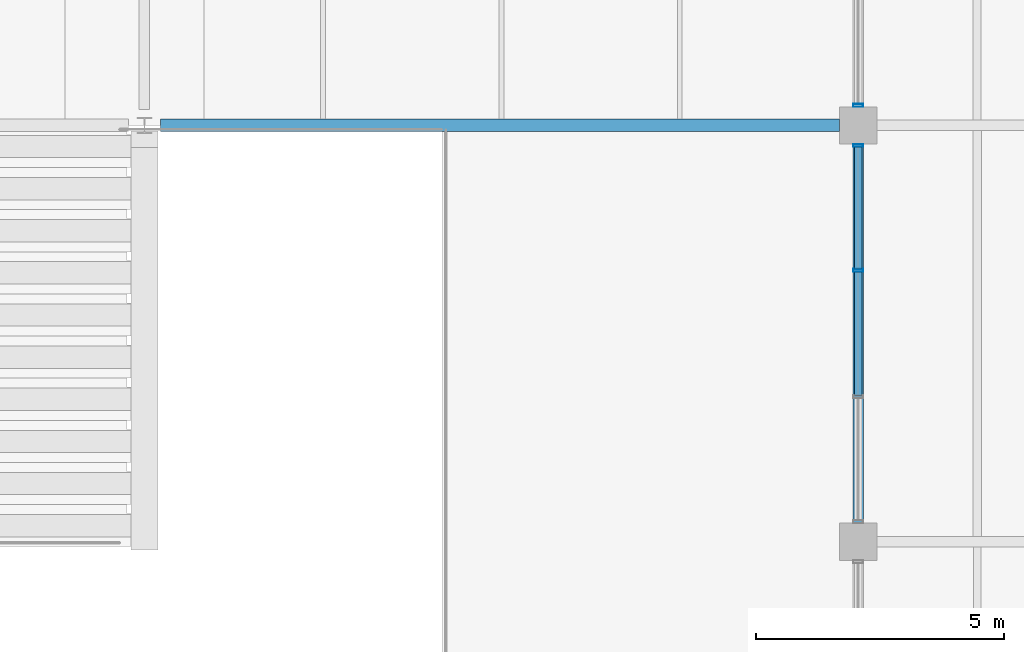
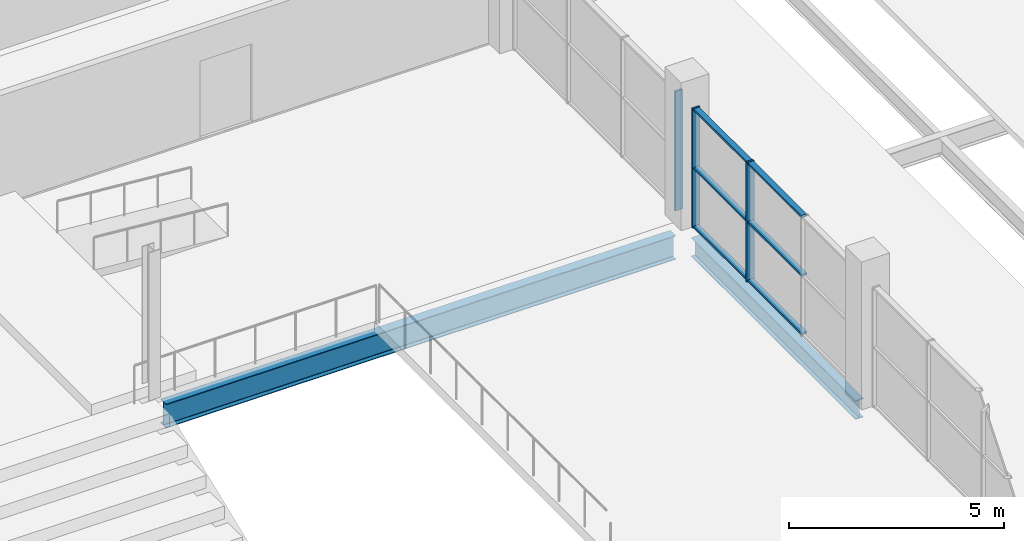
# One storey, part 72 of 161: 9 members, 2 beams, 2 elements without a shape of their own.
"""IFC4 building model written with IfcOpenShell, lengths in metres."""

from ifc_helpers import new_model, si_unit, direction, frame, origin, origin_2d, place, context, subcontext, project, spatial, hollow_rectangle, i_section, extrude, material, material_profile, profile_set, type_object, element, aggregate, save


model = new_model("IFC4")

# Units and contexts
model_context = context("Model", 3, precision=1e-05, world=origin(), true_north=direction((0.0, 1.0)))
body_context = subcontext(model_context, "Body", "Model", "MODEL_VIEW")
ifc_project = project(units=[si_unit("LENGTHUNIT", "METRE"), si_unit("AREAUNIT", "SQUARE_METRE"), si_unit("VOLUMEUNIT", "CUBIC_METRE"), si_unit("PLANEANGLEUNIT", "RADIAN"), si_unit("MASSUNIT", "GRAM", prefix="KILO"), si_unit("THERMODYNAMICTEMPERATUREUNIT", "KELVIN")], contexts=[model_context])

# Site, building, storey
site_placement = place(None, origin())
site = spatial("IfcSite", under=ifc_project, at=site_placement, CompositionType="ELEMENT")
building_placement = place(site_placement, origin())
building = spatial("IfcBuilding", under=site, at=building_placement, Name="Nduvali Passage Aquatics Centre", CompositionType="ELEMENT")
storey_placement = place(building_placement, frame((0.0, 0.0, 4.800048828125)))
storey = spatial("IfcBuildingStorey", under=building, at=storey_placement, Name="L01", CompositionType="ELEMENT", Elevation=4.800048828125)

# Curtain wall, members
ifc_material_1 = material(Name="Aluminium EN AW-6063 T6", Category="aluminium")
curtain_wall_type = type_object("IfcCurtainWallType", Name="ENV-CW-HALL", PredefinedType="NOTDEFINED", material=ifc_material_1)
curtain_wall_1_placement = place(storey_placement, origin())
curtain_wall_1 = element("IfcCurtainWall", 1, at=curtain_wall_1_placement, inside=storey, type_object=curtain_wall_type, Name="L01 East Passage Pool Hall Gallery Glazing 038", PredefinedType="NOTDEFINED")
ifc_material_profile_1 = material_profile(ifc_material_1, hollow_rectangle(XDim=0.06005859375, YDim=0.199951171875, WallThickness=0.00390625, at=origin_2d()), Name="ALU MULLION 60x200x4")
ifc_profile_set_1 = profile_set([ifc_material_profile_1], Name="Aluminium EN AW-6063 T6")
member_type_1 = type_object("IfcMemberType", Name="ENV-MEM-MUL80", PredefinedType="MULLION", material=ifc_profile_set_1)
member_1_placement = place(storey_placement, frame((126.0, 81.074951171875, 0.0), z_axis=(0.0, 0.0, 1.0), x_axis=(0.0, 1.0, 0.0)))
member_1 = element("IfcMember", 2, at=member_1_placement, type_object=member_type_1, Name="East Passage Pool Hall Gallery Glazing Mullion 3", PredefinedType="MULLION", context=body_context, shape_type="SweptSolid", body=[
    extrude(hollow_rectangle(XDim=0.06005859375, YDim=0.199951171875, WallThickness=0.00390625, at=origin_2d()), origin(), (0.0, 0.0, 1.0), 3.396484375),
])
member_2_placement = place(storey_placement, frame((126.0, 83.594970703125, 0.0), z_axis=(0.0, 0.0, 1.0), x_axis=(0.0, 1.0, 0.0)))
member_2 = element("IfcMember", 3, at=member_2_placement, type_object=member_type_1, Name="East Passage Pool Hall Gallery Glazing Mullion 4", PredefinedType="MULLION", context=body_context, shape_type="SweptSolid", body=[
    extrude(hollow_rectangle(XDim=0.06005859375, YDim=0.199951171875, WallThickness=0.00390625, at=origin_2d()), origin(), (0.0, 0.0, 1.0), 3.396484375),
])

# Curtain wall, member
curtain_wall_2_placement = place(storey_placement, origin())
curtain_wall_2 = element("IfcCurtainWall", 4, at=curtain_wall_2_placement, inside=storey, type_object=curtain_wall_type, Name="L01 East Passage Pool Hall Gallery Glazing 041", PredefinedType="NOTDEFINED")
member_3_placement = place(storey_placement, frame((126.0, 84.405029296875, 0.0), z_axis=(0.0, 0.0, 1.0), x_axis=(0.0, 1.0, 0.0)))
member_3 = element("IfcMember", 5, at=member_3_placement, type_object=member_type_1, Name="East Passage Pool Hall Gallery Glazing Mullion 1", PredefinedType="MULLION", context=body_context, shape_type="SweptSolid", body=[
    extrude(hollow_rectangle(XDim=0.06005859375, YDim=0.199951171875, WallThickness=0.00390625, at=origin_2d()), origin(), (0.0, 0.0, 1.0), 3.396484375),
])
aggregate(curtain_wall_2, [member_3])

# Member
ifc_material_profile_2 = material_profile(ifc_material_1, hollow_rectangle(XDim=0.14990234375, YDim=0.06005859375, WallThickness=0.00390625, at=origin_2d()), Name="ALU TRANSOM 150x60x4")
ifc_profile_set_2 = profile_set([ifc_material_profile_2], Name="Aluminium EN AW-6063 T6")
member_type_2 = type_object("IfcMemberType", Name="ENV-MEM-TRN80", PredefinedType="USERDEFINED", material=ifc_profile_set_2)
member_4_placement = place(storey_placement, frame((126.0, 78.554931640625, 0.030029296875), z_axis=(0.0, 1.0, 0.0), x_axis=(-1.0, 0.0, 0.0)))
member_4 = element("IfcMember", 6, at=member_4_placement, type_object=member_type_2, Name="East Passage Pool Hall Gallery Glazing Transom B2-R0", ObjectType="TRANSOM", PredefinedType="USERDEFINED", context=body_context, shape_type="SweptSolid", body=[
    extrude(hollow_rectangle(XDim=0.14990234375, YDim=0.06005859375, WallThickness=0.00390625, at=origin_2d()), origin(), (0.0, 0.0, 1.0), 2.489990234375),
])

member_5_placement = place(storey_placement, frame((126.0, 78.554931640625, 1.6982421875), z_axis=(0.0, 1.0, 0.0), x_axis=(-1.0, 0.0, 0.0)))
member_5 = element("IfcMember", 7, at=member_5_placement, type_object=member_type_2, Name="East Passage Pool Hall Gallery Glazing Transom B2-R1", ObjectType="TRANSOM", PredefinedType="USERDEFINED", context=body_context, shape_type="SweptSolid", body=[
    extrude(hollow_rectangle(XDim=0.14990234375, YDim=0.06005859375, WallThickness=0.00390625, at=origin_2d()), origin(), (0.0, 0.0, 1.0), 2.489990234375),
])

member_6_placement = place(storey_placement, frame((126.0, 78.554931640625, 3.366455078125), z_axis=(0.0, 1.0, 0.0), x_axis=(-1.0, 0.0, 0.0)))
member_6 = element("IfcMember", 8, at=member_6_placement, type_object=member_type_2, Name="East Passage Pool Hall Gallery Glazing Transom B2-R2", ObjectType="TRANSOM", PredefinedType="USERDEFINED", context=body_context, shape_type="SweptSolid", body=[
    extrude(hollow_rectangle(XDim=0.14990234375, YDim=0.06005859375, WallThickness=0.00390625, at=origin_2d()), origin(), (0.0, 0.0, 1.0), 2.489990234375),
])

member_7_placement = place(storey_placement, frame((126.0, 81.10498046875, 0.030029296875), z_axis=(0.0, 1.0, 0.0), x_axis=(-1.0, 0.0, 0.0)))
member_7 = element("IfcMember", 9, at=member_7_placement, type_object=member_type_2, Name="East Passage Pool Hall Gallery Glazing Transom B3-R0", ObjectType="TRANSOM", PredefinedType="USERDEFINED", context=body_context, shape_type="SweptSolid", body=[
    extrude(hollow_rectangle(XDim=0.14990234375, YDim=0.06005859375, WallThickness=0.00390625, at=origin_2d()), origin(), (0.0, 0.0, 1.0), 2.4599609375),
])

member_8_placement = place(storey_placement, frame((126.0, 81.10498046875, 1.6982421875), z_axis=(0.0, 1.0, 0.0), x_axis=(-1.0, 0.0, 0.0)))
member_8 = element("IfcMember", 10, at=member_8_placement, type_object=member_type_2, Name="East Passage Pool Hall Gallery Glazing Transom B3-R1", ObjectType="TRANSOM", PredefinedType="USERDEFINED", context=body_context, shape_type="SweptSolid", body=[
    extrude(hollow_rectangle(XDim=0.14990234375, YDim=0.06005859375, WallThickness=0.00390625, at=origin_2d()), origin(), (0.0, 0.0, 1.0), 2.4599609375),
])

member_9_placement = place(storey_placement, frame((126.0, 81.10498046875, 3.366455078125), z_axis=(0.0, 1.0, 0.0), x_axis=(-1.0, 0.0, 0.0)))
member_9 = element("IfcMember", 11, at=member_9_placement, type_object=member_type_2, Name="East Passage Pool Hall Gallery Glazing Transom B3-R2", ObjectType="TRANSOM", PredefinedType="USERDEFINED", context=body_context, shape_type="SweptSolid", body=[
    extrude(hollow_rectangle(XDim=0.14990234375, YDim=0.06005859375, WallThickness=0.00390625, at=origin_2d()), origin(), (0.0, 0.0, 1.0), 2.4599609375),
])

aggregate(curtain_wall_1, [member_1, member_2, member_4, member_5, member_6, member_7, member_8, member_9])

# Beams
ifc_material_2 = material(Name="Steel S355", Category="steel")
ifc_material_profile_3 = material_profile(ifc_material_2, i_section(OverallWidth=0.210693359375, OverallDepth=0.53955078125, WebThickness=0.01171875, FlangeThickness=0.018798828125, FilletRadius=0.0126953125, at=origin_2d()), Name="UKB 533x210x109")
ifc_profile_set_3 = profile_set([ifc_material_profile_3], Name="Steel S355")
beam_type_1 = type_object("IfcBeamType", Name="STR-BM-UKB533-EXT", PredefinedType="BEAM", material=ifc_profile_set_3)
beam_1_placement = place(storey_placement, frame((126.0, 75.97509765625, -0.553955078125), z_axis=(0.0, 1.0, 0.0), x_axis=(-1.0, 0.0, 0.0)))
element("IfcBeam", 12, at=beam_1_placement, inside=storey, type_object=beam_type_1, Name="L01 Primary Y-Girder B6E-0631", PredefinedType="BEAM", context=body_context, shape_type="SweptSolid", body=[
    extrude(i_section(OverallWidth=0.210693359375, OverallDepth=0.53955078125, WebThickness=0.01171875, FlangeThickness=0.018798828125, FilletRadius=0.0126953125, at=origin_2d()), origin(), (0.0, 0.0, 1.0), 7.64990234375),
])
ifc_material_profile_4 = material_profile(ifc_material_2, i_section(OverallWidth=0.253662109375, OverallDepth=0.68359375, WebThickness=0.012451171875, FlangeThickness=0.01904296875, FilletRadius=0.01513671875, at=origin_2d()), Name="UKB 686x254x140")
ifc_profile_set_4 = profile_set([ifc_material_profile_4], Name="Steel S355")
beam_type_2 = type_object("IfcBeamType", Name="STR-BM-UKB686", PredefinedType="BEAM", material=ifc_profile_set_4)
beam_2_placement = place(storey_placement, frame((111.925048828125, 84.0, -0.625732421875), z_axis=(1.0, 0.0, 0.0), x_axis=(0.0, 1.0, 0.0)))
element("IfcBeam", 13, at=beam_2_placement, inside=storey, type_object=beam_type_2, Name="L01 Primary X-Girder B4-0517", PredefinedType="BEAM", context=body_context, shape_type="SweptSolid", body=[
    extrude(i_section(OverallWidth=0.253662109375, OverallDepth=0.68359375, WebThickness=0.012451171875, FlangeThickness=0.01904296875, FilletRadius=0.01513671875, at=origin_2d()), origin(), (0.0, 0.0, 1.0), 13.699951171875),
])

save(model, "model.ifc")
